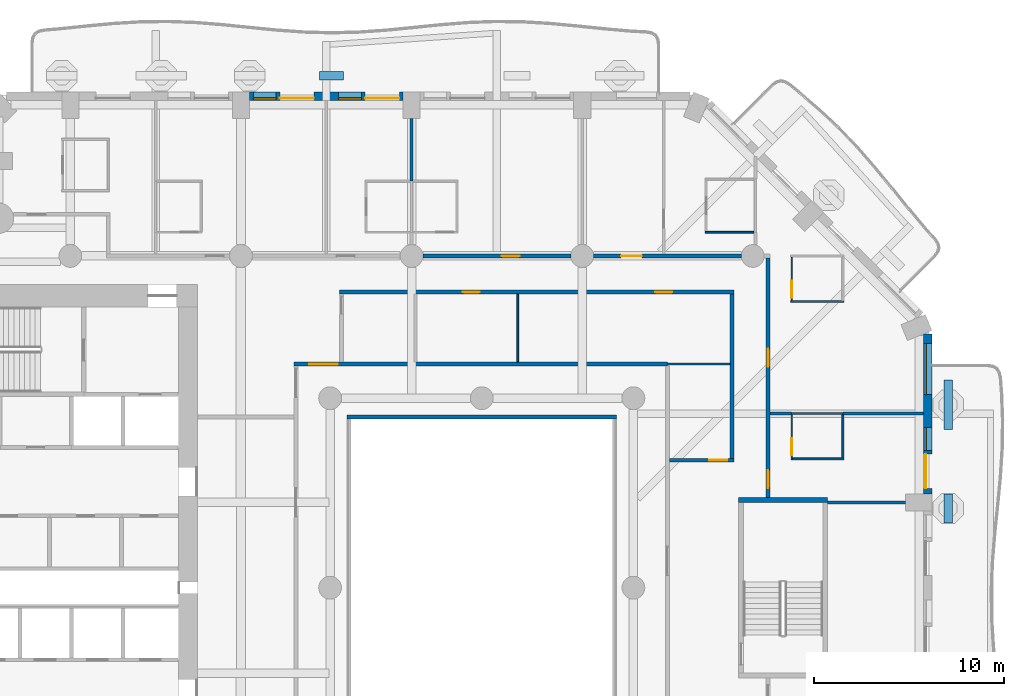
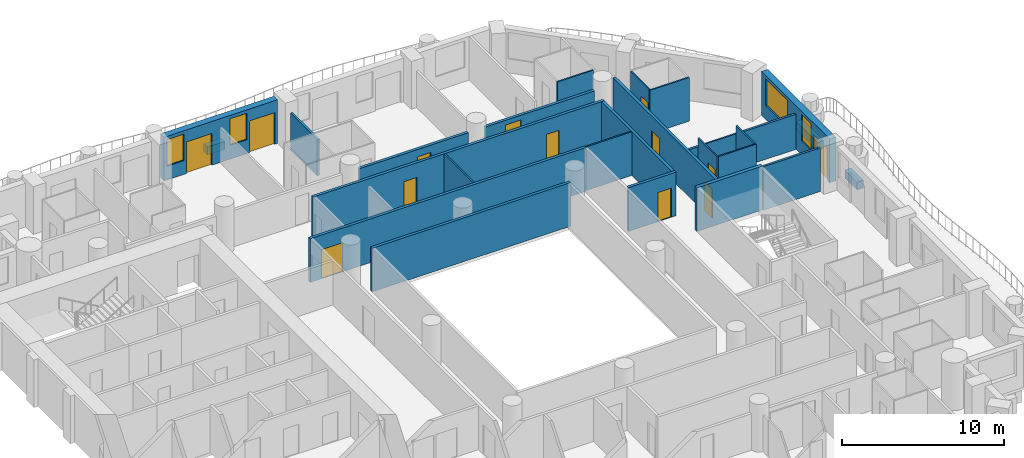
# One storey, part 9 of 20: 27 walls, 13 doors, 4 windows, 17 openings.
"""IFC4 building model written with IfcOpenShell, lengths in metres."""

import ifcopenshell
import ifcopenshell.guid

model = None  # the IFC model being written
_history = None  # IfcOwnerHistory: only IFC2X3 demands one
_inside = {}  # id of a spatial element -> (the spatial element, [elements in it])
_under = {}  # id of a project, library or spatial element -> (it, [spatial elements below it])
_declared = {}  # id of a project -> (the project, [libraries it declares])
_typed = {}  # id of a type object -> (the type object, [elements of that type])
_made_of = {}  # id of a material, layer set ... -> (it, [elements and type objects made of it])


def new_model(schema):
    """Start an empty IFC model of exactly this schema.

    Asked for "IFC4X3", IfcOpenShell would pick the latest addendum, in which some entities
    have other attributes; the version numbers below select the first issue.
    IFC2X3 requires an IfcOwnerHistory on every rooted entity: one is made here for all.
    """
    global model, _history
    if schema == "IFC4X3":
        model = ifcopenshell.file(schema_version=(4, 3, 0, 0))
    else:
        model = ifcopenshell.file(schema=schema)
    _inside.clear()
    _under.clear()
    _declared.clear()
    _typed.clear()
    _made_of.clear()
    _history = None
    if model.schema == "IFC2X3":
        org = make("IfcOrganization", Name="unknown")
        user = make(
            "IfcPersonAndOrganization",
            ThePerson=make("IfcPerson", FamilyName="unknown"),
            TheOrganization=org,
        )
        app = make(
            "IfcApplication",
            ApplicationDeveloper=org,
            Version="unknown",
            ApplicationFullName="unknown",
            ApplicationIdentifier="unknown",
        )
        _history = make(
            "IfcOwnerHistory",
            OwningUser=user,
            OwningApplication=app,
            ChangeAction="ADDED",
            CreationDate=0,
        )
    return model


def make(cls, **values):
    """One entity of the class cls with the attributes given. An attribute that is None is left unset."""
    return model.create_entity(
        cls, **{name: value for name, value in values.items() if value is not None}
    )


def rooted(cls, **values):
    """An entity with a GlobalId (a new one), such as an element, a storey or a relation."""
    return make(cls, GlobalId=ifcopenshell.guid.new(), OwnerHistory=_history, **values)


def si_unit(unit_type, name, prefix=None):
    """IfcSIUnit, for example si_unit("LENGTHUNIT", "METRE", prefix="MILLI")."""
    return make("IfcSIUnit", UnitType=unit_type, Prefix=prefix, Name=name)


def assignment(units):
    """IfcUnitAssignment: the units of a project."""
    return None if units is None else make("IfcUnitAssignment", Units=units)


def point(xyz):
    """IfcCartesianPoint."""
    return None if xyz is None else make("IfcCartesianPoint", Coordinates=xyz)


def direction(xyz):
    """IfcDirection."""
    return None if xyz is None else make("IfcDirection", DirectionRatios=xyz)


def frame(location, z_axis=None, x_axis=None):
    """IfcAxis2Placement3D, a coordinate frame: its origin and axes. An axis left out is left unset."""
    return make(
        "IfcAxis2Placement3D",
        Location=point(location),
        Axis=direction(z_axis),
        RefDirection=direction(x_axis),
    )


def frame_2d(location, x_axis=None):
    """IfcAxis2Placement2D, a coordinate frame in the plane: its origin and x axis."""
    return make(
        "IfcAxis2Placement2D", Location=point(location), RefDirection=direction(x_axis)
    )


def origin():
    """The frame at (0, 0, 0) with its axes left unset."""
    return frame((0.0, 0.0, 0.0))


def place(relative_to, where):
    """IfcLocalPlacement: puts the frame where relative to a parent placement (None: the world)."""
    return make(
        "IfcLocalPlacement", PlacementRelTo=relative_to, RelativePlacement=where
    )


def context(
    kind, dimensions, precision=None, world=None, true_north=None, identifier=None
):
    """IfcGeometricRepresentationContext, for example the 3D "Model" context."""
    return make(
        "IfcGeometricRepresentationContext",
        ContextIdentifier=identifier,
        ContextType=kind,
        CoordinateSpaceDimension=dimensions,
        Precision=precision,
        WorldCoordinateSystem=world,
        TrueNorth=true_north,
    )


def subcontext(parent, identifier, kind, view, scale=None):
    """IfcGeometricRepresentationSubContext, for example "Body" below "Model"."""
    return make(
        "IfcGeometricRepresentationSubContext",
        ContextIdentifier=identifier,
        ContextType=kind,
        ParentContext=parent,
        TargetScale=scale,
        TargetView=view,
    )


def project(units=None, contexts=None):
    """IfcProject with its units and contexts."""
    return rooted(
        "IfcProject",
        Name="project",
        RepresentationContexts=contexts,
        UnitsInContext=assignment(units),
    )


def spatial(cls, under=None, at=None, **own):
    """A site, building, storey or space (cls), placed at a placement, below another one or the project."""
    s = rooted(cls, ObjectPlacement=at, **own)
    if under is not None:
        _under.setdefault(under.id(), (under, []))[1].append(s)
    return s


def profile(cls, at=None, kind="AREA", **sizes):
    """A parametric profile (cls). Its sizes go by their IFC names, for example OverallWidth=200.0."""
    return make(cls, ProfileType=kind, Position=at, **sizes)


def rectangle(**sizes):
    """IfcRectangleProfileDef."""
    return profile("IfcRectangleProfileDef", **sizes)


def extrude(swept, where, along, depth):
    """IfcExtrudedAreaSolid: the profile swept, set in the frame where, extruded along a direction by depth."""
    return make(
        "IfcExtrudedAreaSolid",
        SweptArea=swept,
        Position=where,
        ExtrudedDirection=direction(along),
        Depth=depth,
    )


def shape(context_of_items, identifier, shape_type, items):
    """IfcShapeRepresentation: the items that make up one representation, for example the "Body"."""
    return make(
        "IfcShapeRepresentation",
        ContextOfItems=context_of_items,
        RepresentationIdentifier=identifier,
        RepresentationType=shape_type,
        Items=items,
    )


def material(Name=None, Category=None):
    """IfcMaterial."""
    return make("IfcMaterial", Name=Name, Category=Category)


def layer(
    of_material, thickness, ventilated=None, Name=None, Category=None, Priority=None
):
    """IfcMaterialLayer: one layer of a wall or slab, of a material (None: an air gap)."""
    return make(
        "IfcMaterialLayer",
        Material=of_material,
        LayerThickness=thickness,
        IsVentilated=ventilated,
        Name=Name,
        Category=Category,
        Priority=Priority,
    )


def layer_set(layers, Name=None):
    """IfcMaterialLayerSet."""
    return make("IfcMaterialLayerSet", MaterialLayers=layers, LayerSetName=Name)


def made_of(thing, what):
    """Note that an element or type object is made of a material, layer set ...; save() writes the relation."""
    if what is not None:
        _made_of.setdefault(what.id(), (what, []))[1].append(thing)
    return thing


def type_object(cls, material=None, **own):
    """A type object (cls), such as IfcWallType, which elements share."""
    return made_of(rooted(cls, **own), material)


def element(
    cls,
    number,
    at=None,
    inside=None,
    cuts=None,
    type_object=None,
    material=None,
    context=None,
    identifier="Body",
    shape_type=None,
    held_by="IfcProductDefinitionShape",
    body=None,
    shapes=None,
    **own,
):
    """One element of the class cls, such as IfcWall. Its Tag is "e" and its number.

    at: its placement. inside: the storey or other place that contains it. cuts: it is an
    opening in that element (IfcRelVoidsElement). A single representation is given by context,
    identifier, shape_type and body (its items); several are given by shapes. held_by: the class
    of the entity that holds the representations. save() writes the other relations.
    """
    e = rooted(cls, Tag="e%d" % number, ObjectPlacement=at, **own)
    if body is not None:
        shapes = [shape(context, identifier, shape_type, body)]
    if shapes is not None:
        e.Representation = make(held_by, Representations=shapes)
    if inside is not None:
        _inside.setdefault(inside.id(), (inside, []))[1].append(e)
    if cuts is not None:
        rooted(
            "IfcRelVoidsElement", RelatingBuildingElement=cuts, RelatedOpeningElement=e
        )
    if type_object is not None:
        _typed.setdefault(type_object.id(), (type_object, []))[1].append(e)
    return made_of(e, material)


def fill(opening, filler):
    """IfcRelFillsElement: the door or window that sits in an opening."""
    return rooted(
        "IfcRelFillsElement",
        RelatingOpeningElement=opening,
        RelatedBuildingElement=filler,
    )


def aggregate(whole, parts):
    """IfcRelAggregates: a whole, such as a stair, and the parts it consists of."""
    return rooted("IfcRelAggregates", RelatingObject=whole, RelatedObjects=parts)


def save(model, path):
    """Write the relations noted so far, then the file.

    IfcRelAggregates (storeys below a building ...), IfcRelContainedInSpatialStructure (elements
    in a storey), IfcRelDefinesByType, IfcRelAssociatesMaterial and IfcRelDeclares: one each for
    every whole, place, type object, material and project.
    """
    for whole, parts in _under.values():
        aggregate(whole, parts)
    for where, things in _inside.values():
        rooted(
            "IfcRelContainedInSpatialStructure",
            RelatedElements=things,
            RelatingStructure=where,
        )
    for kind, things in _typed.values():
        rooted("IfcRelDefinesByType", RelatedObjects=things, RelatingType=kind)
    for what, things in _made_of.values():
        rooted("IfcRelAssociatesMaterial", RelatedObjects=things, RelatingMaterial=what)
    for by, libraries in _declared.values():
        rooted("IfcRelDeclares", RelatingContext=by, RelatedDefinitions=libraries)
    model.write(path)


model = new_model("IFC4")

# Units and contexts
model_context = context("Model", 3, precision=1e-05, world=origin(), true_north=direction((0.0, 1.0)))
body_context = subcontext(model_context, "Body", "Model", "MODEL_VIEW")
ifc_project = project(units=[si_unit("LENGTHUNIT", "METRE"), si_unit("AREAUNIT", "SQUARE_METRE"), si_unit("VOLUMEUNIT", "CUBIC_METRE"), si_unit("PLANEANGLEUNIT", "RADIAN"), si_unit("MASSUNIT", "GRAM", prefix="KILO")], contexts=[model_context])

# Site, building, storey
site_placement = place(None, origin())
site = spatial("IfcSite", under=ifc_project, at=site_placement, CompositionType="ELEMENT")
building_placement = place(site_placement, origin())
building = spatial("IfcBuilding", under=site, at=building_placement, Name="Cypress Arch Tower", CompositionType="ELEMENT")
storey_placement = place(building_placement, frame((0.0, 0.0, 87.89990234375)))
storey = spatial("IfcBuildingStorey", under=building, at=storey_placement, Name="L16", CompositionType="ELEMENT", Elevation=87.89990234375)

# Walls
ifc_material_1 = material(Name="Concrete C40/50, waterproofed", Category="concrete")
ifc_layer_1 = layer(ifc_material_1, 0.449951171875)
ifc_layer_set_1 = layer_set([ifc_layer_1], Name="Balcony planter wall PW450")
wall_type_1 = type_object("IfcWallType", Name="Balcony planter wall PW450", PredefinedType="SOLIDWALL", material=ifc_layer_set_1)
wall_1_placement = place(storey_placement, frame((25.60009765625, 3.42138671875, 0.0), z_axis=(0.0, 0.0, 1.0), x_axis=(0.0, 1.0, 0.0)))
element("IfcWall", 1, at=wall_1_placement, inside=storey, type_object=wall_type_1, Name="Balcony planter wall L16-A06.2", PredefinedType="SOLIDWALL", context=body_context, shape_type="SweptSolid", body=[
    extrude(rectangle(XDim=1.5224609375, YDim=0.449951171875, at=frame_2d((0.76123046875, 0.0))), origin(), (0.0, 0.0, 1.0), 0.60009765625),
])
wall_2_placement = place(storey_placement, frame((25.60009765625, 8.335693359375, 0.0), z_axis=(0.0, 0.0, 1.0), x_axis=(0.0, 1.0, 0.0)))
element("IfcWall", 2, at=wall_2_placement, inside=storey, type_object=wall_type_1, Name="Balcony planter wall L16-A06.3", PredefinedType="SOLIDWALL", context=body_context, shape_type="SweptSolid", body=[
    extrude(rectangle(XDim=2.6142578125, YDim=0.449951171875, at=frame_2d((1.30712890625, 0.0))), origin(), (0.0, 0.0, 1.0), 0.60009765625),
])
wall_3_placement = place(storey_placement, frame((-6.300048828125, 27.0, 0.0), z_axis=(0.0, 0.0, 1.0), x_axis=(-1.0, 0.0, 0.0)))
element("IfcWall", 3, at=wall_3_placement, inside=storey, type_object=wall_type_1, Name="Balcony planter wall L16-A08.3", PredefinedType="SOLIDWALL", context=body_context, shape_type="SweptSolid", body=[
    extrude(rectangle(XDim=1.25, YDim=0.449951171875, at=frame_2d((0.625, 0.0))), origin(), (0.0, 0.0, 1.0), 0.60009765625),
])

# Wall, openings, door, windows
ifc_material_2 = material(Name="Brick (red buff blend)", Category="masonry")
ifc_layer_2 = layer(ifc_material_2, 0.449951171875)
ifc_layer_set_2 = layer_set([ifc_layer_2], Name="Brick pier and spandrel wall BW450")
wall_type_2 = type_object("IfcWallType", Name="Brick pier and spandrel wall BW450", PredefinedType="SOLIDWALL", material=ifc_layer_set_2)
wall_4_placement = place(storey_placement, frame((24.52490234375, 4.949951171875, 0.0), z_axis=(0.0, 0.0, 1.0), x_axis=(0.0, 1.0, 0.0)))
wall_4 = element("IfcWall", 4, at=wall_4_placement, inside=storey, type_object=wall_type_2, Name="Brick wall L16 A06.3", PredefinedType="SOLIDWALL", context=body_context, shape_type="SweptSolid", body=[
    extrude(rectangle(XDim=8.438720703125, YDim=0.449951171875, at=frame_2d((4.21923828125, 0.0))), origin(), (0.0, 0.0, 1.0), 3.300048828125),
])
opening_1_placement = place(wall_4_placement, frame((0.2939453125, 0.0, 0.0)))
opening_1 = element("IfcOpeningElement", 5, at=opening_1_placement, cuts=wall_4, Name="Opening D-L16-A06.3.1", PredefinedType="OPENING", context=body_context, shape_type="SweptSolid", body=[
    extrude(rectangle(XDim=1.800048828125, YDim=2.39990234375, at=frame_2d((0.89990234375, 1.199951171875))), frame((0.0, 0.23486328125, 0.0), z_axis=(0.0, -1.0, 0.0), x_axis=(1.0, 0.0, 0.0)), (0.0, 0.0, 1.0), 0.469970703125),
])
opening_2_placement = place(wall_4_placement, frame((2.2939453125, 0.0, 1.050048828125)))
opening_2 = element("IfcOpeningElement", 6, at=opening_2_placement, cuts=wall_4, Name="Opening W120HD", PredefinedType="OPENING", context=body_context, shape_type="SweptSolid", body=[
    extrude(rectangle(XDim=1.199951171875, YDim=2.0, at=frame_2d((0.60009765625, 1.0))), frame((0.0, 0.23486328125, 0.0), z_axis=(0.0, -1.0, 0.0), x_axis=(1.0, 0.0, 0.0)), (0.0, 0.0, 1.0), 0.469970703125),
])
opening_3_placement = place(wall_4_placement, frame((5.231689453125, 0.0, 1.050048828125)))
opening_3 = element("IfcOpeningElement", 7, at=opening_3_placement, cuts=wall_4, Name="Opening W270HD", PredefinedType="OPENING", context=body_context, shape_type="SweptSolid", body=[
    extrude(rectangle(XDim=2.699951171875, YDim=2.0, at=frame_2d((1.35009765625, 1.0))), frame((0.0, 0.23486328125, 0.0), z_axis=(0.0, -1.0, 0.0), x_axis=(1.0, 0.0, 0.0)), (0.0, 0.0, 1.0), 0.469970703125),
])
ifc_material_3 = material(Name="Anodised aluminium, bronze finish, laminated low-emissivity double glazing, large-missile impact rated", Category="aluminium")
door_type_1 = type_object("IfcDoorType", Name="Balcony sliding door 1800x2400", OperationType="SLIDING_TO_LEFT", PredefinedType="DOOR", material=ifc_material_3)
door_1_placement = place(opening_1_placement, origin())
door_1 = element("IfcDoor", 8, at=door_1_placement, inside=storey, type_object=door_type_1, Name="Balcony door L16 A06.3.1", OperationType="SLIDING_TO_LEFT", OverallHeight=2.39990234375, OverallWidth=1.800048828125, PredefinedType="DOOR", context=body_context, shape_type="SweptSolid", body=[
    extrude(rectangle(XDim=1.800048828125, YDim=2.39990234375, at=frame_2d((0.89990234375, 1.199951171875))), frame((0.0, 0.1298828125, 0.0), z_axis=(0.0, -1.0, 0.0), x_axis=(1.0, 0.0, 0.0)), (0.0, 0.0, 1.0), 0.050048828125),
])
fill(opening_1, door_1)
ifc_material_4 = material(Name="Anodised aluminium, bronze finish, laminated low-emissivity double glazing, large-missile impact rated", Category="aluminium")
window_type_1 = type_object("IfcWindowType", Name="Window Hotel 1200x2000 debris-rated", PartitioningType="SINGLE_PANEL", PredefinedType="WINDOW", material=ifc_material_4)
window_1_placement = place(opening_2_placement, origin())
window_1 = element("IfcWindow", 9, at=window_1_placement, inside=storey, type_object=window_type_1, Name="Window L16 A06.3.1", OverallHeight=2.0, OverallWidth=1.199951171875, PartitioningType="SINGLE_PANEL", PredefinedType="WINDOW", context=body_context, shape_type="SweptSolid", body=[
    extrude(rectangle(XDim=1.199951171875, YDim=2.0, at=frame_2d((0.60009765625, 1.0))), frame((0.0, 0.135009765625, 0.0), z_axis=(0.0, -1.0, 0.0), x_axis=(1.0, 0.0, 0.0)), (0.0, 0.0, 1.0), 0.06005859375),
])
fill(opening_2, window_1)
ifc_material_5 = material(Name="Anodised aluminium, bronze finish, laminated low-emissivity double glazing, large-missile impact rated", Category="aluminium")
window_type_2 = type_object("IfcWindowType", Name="Window Hotel 2700x2000 debris-rated", PartitioningType="SINGLE_PANEL", PredefinedType="WINDOW", material=ifc_material_5)
window_2_placement = place(opening_3_placement, origin())
window_2 = element("IfcWindow", 10, at=window_2_placement, inside=storey, type_object=window_type_2, Name="Window L16 A06.3.2", OverallHeight=2.0, OverallWidth=2.699951171875, PartitioningType="SINGLE_PANEL", PredefinedType="WINDOW", context=body_context, shape_type="SweptSolid", body=[
    extrude(rectangle(XDim=2.699951171875, YDim=2.0, at=frame_2d((1.35009765625, 1.0))), frame((0.0, 0.135009765625, 0.0), z_axis=(0.0, -1.0, 0.0), x_axis=(1.0, 0.0, 0.0)), (0.0, 0.0, 1.0), 0.06005859375),
])
fill(opening_3, window_2)

# Wall, openings, doors, windows
wall_5_placement = place(storey_placement, frame((-3.14990234375, 25.925048828125, 0.0), z_axis=(0.0, 0.0, 1.0), x_axis=(-1.0, 0.0, 0.0)))
wall_5 = element("IfcWall", 11, at=wall_5_placement, inside=storey, type_object=wall_type_2, Name="Brick wall L16 A08.2", PredefinedType="SOLIDWALL", context=body_context, shape_type="SweptSolid", body=[
    extrude(rectangle(XDim=8.10009765625, YDim=0.449951171875, at=frame_2d((4.050048828125, 0.0))), origin(), (0.0, 0.0, 1.0), 3.300048828125),
])
opening_4_placement = place(wall_5_placement, frame((0.199951171875, 0.0, 0.0)))
opening_4 = element("IfcOpeningElement", 12, at=opening_4_placement, cuts=wall_5, Name="Opening D-L16-A08.2.1", PredefinedType="OPENING", context=body_context, shape_type="SweptSolid", body=[
    extrude(rectangle(XDim=1.800048828125, YDim=2.39990234375, at=frame_2d((0.89990234375, 1.199951171875))), frame((0.0, 0.23486328125, 0.0), z_axis=(0.0, -1.0, 0.0), x_axis=(1.0, 0.0, 0.0)), (0.0, 0.0, 1.0), 0.469970703125),
])
opening_5_placement = place(wall_5_placement, frame((2.199951171875, 0.0, 1.050048828125)))
opening_5 = element("IfcOpeningElement", 13, at=opening_5_placement, cuts=wall_5, Name="Opening W120HD", PredefinedType="OPENING", context=body_context, shape_type="SweptSolid", body=[
    extrude(rectangle(XDim=1.199951171875, YDim=2.0, at=frame_2d((0.60009765625, 1.0))), frame((0.0, 0.23486328125, 0.0), z_axis=(0.0, -1.0, 0.0), x_axis=(1.0, 0.0, 0.0)), (0.0, 0.0, 1.0), 0.469970703125),
])
opening_6_placement = place(wall_5_placement, frame((4.699951171875, 0.0, 0.0)))
opening_6 = element("IfcOpeningElement", 14, at=opening_6_placement, cuts=wall_5, Name="Opening D-L16-A08.2.2", PredefinedType="OPENING", context=body_context, shape_type="SweptSolid", body=[
    extrude(rectangle(XDim=1.800048828125, YDim=2.39990234375, at=frame_2d((0.89990234375, 1.199951171875))), frame((0.0, 0.23486328125, 0.0), z_axis=(0.0, -1.0, 0.0), x_axis=(1.0, 0.0, 0.0)), (0.0, 0.0, 1.0), 0.469970703125),
])
opening_7_placement = place(wall_5_placement, frame((6.699951171875, 0.0, 1.050048828125)))
opening_7 = element("IfcOpeningElement", 15, at=opening_7_placement, cuts=wall_5, Name="Opening W120HD", PredefinedType="OPENING", context=body_context, shape_type="SweptSolid", body=[
    extrude(rectangle(XDim=1.199951171875, YDim=2.0, at=frame_2d((0.60009765625, 1.0))), frame((0.0, 0.23486328125, 0.0), z_axis=(0.0, -1.0, 0.0), x_axis=(1.0, 0.0, 0.0)), (0.0, 0.0, 1.0), 0.469970703125),
])
door_2_placement = place(opening_4_placement, origin())
door_2 = element("IfcDoor", 16, at=door_2_placement, inside=storey, type_object=door_type_1, Name="Balcony door L16 A08.2.1", OperationType="SLIDING_TO_LEFT", OverallHeight=2.39990234375, OverallWidth=1.800048828125, PredefinedType="DOOR", context=body_context, shape_type="SweptSolid", body=[
    extrude(rectangle(XDim=1.800048828125, YDim=2.39990234375, at=frame_2d((0.89990234375, 1.199951171875))), frame((0.0, 0.1298828125, 0.0), z_axis=(0.0, -1.0, 0.0), x_axis=(1.0, 0.0, 0.0)), (0.0, 0.0, 1.0), 0.050048828125),
])
fill(opening_4, door_2)
door_3_placement = place(opening_6_placement, origin())
door_3 = element("IfcDoor", 17, at=door_3_placement, inside=storey, type_object=door_type_1, Name="Balcony door L16 A08.2.2", OperationType="SLIDING_TO_LEFT", OverallHeight=2.39990234375, OverallWidth=1.800048828125, PredefinedType="DOOR", context=body_context, shape_type="SweptSolid", body=[
    extrude(rectangle(XDim=1.800048828125, YDim=2.39990234375, at=frame_2d((0.89990234375, 1.199951171875))), frame((0.0, 0.1298828125, 0.0), z_axis=(0.0, -1.0, 0.0), x_axis=(1.0, 0.0, 0.0)), (0.0, 0.0, 1.0), 0.050048828125),
])
fill(opening_6, door_3)
window_3_placement = place(opening_5_placement, origin())
window_3 = element("IfcWindow", 18, at=window_3_placement, inside=storey, type_object=window_type_1, Name="Window L16 A08.2.1", OverallHeight=2.0, OverallWidth=1.199951171875, PartitioningType="SINGLE_PANEL", PredefinedType="WINDOW", context=body_context, shape_type="SweptSolid", body=[
    extrude(rectangle(XDim=1.199951171875, YDim=2.0, at=frame_2d((0.60009765625, 1.0))), frame((0.0, 0.135009765625, 0.0), z_axis=(0.0, -1.0, 0.0), x_axis=(1.0, 0.0, 0.0)), (0.0, 0.0, 1.0), 0.06005859375),
])
fill(opening_5, window_3)
window_4_placement = place(opening_7_placement, origin())
window_4 = element("IfcWindow", 19, at=window_4_placement, inside=storey, type_object=window_type_1, Name="Window L16 A08.2.2", OverallHeight=2.0, OverallWidth=1.199951171875, PartitioningType="SINGLE_PANEL", PredefinedType="WINDOW", context=body_context, shape_type="SweptSolid", body=[
    extrude(rectangle(XDim=1.199951171875, YDim=2.0, at=frame_2d((0.60009765625, 1.0))), frame((0.0, 0.135009765625, 0.0), z_axis=(0.0, -1.0, 0.0), x_axis=(1.0, 0.0, 0.0)), (0.0, 0.0, 1.0), 0.06005859375),
])
fill(opening_7, window_4)

# Wall, opening, door
ifc_material_6 = material(Name="Concrete blockwork, plastered, rated", Category="masonry")
ifc_layer_3 = layer(ifc_material_6, 0.199951171875)
ifc_layer_set_3 = layer_set([ifc_layer_3], Name="Corridor wall FW200")
wall_type_3 = type_object("IfcWallType", Name="Corridor wall FW200", PredefinedType="PARTITIONING", material=ifc_layer_set_3)
wall_6_placement = place(storey_placement, frame((-2.10009765625, 17.5, 0.0), z_axis=(0.0, 0.0, 1.0), x_axis=(1.0, 0.0, 0.0)))
wall_6 = element("IfcWall", 20, at=wall_6_placement, inside=storey, type_object=wall_type_3, Name="Corridor wall", PredefinedType="PARTITIONING", context=body_context, shape_type="SweptSolid", body=[
    extrude(rectangle(XDim=7.800048828125, YDim=0.199951171875, at=frame_2d((3.89990234375, 0.0))), origin(), (0.0, 0.0, 1.0), 2.75),
])
opening_8_placement = place(wall_6_placement, frame((4.14990234375, 0.0, 0.0)))
opening_8 = element("IfcOpeningElement", 21, at=opening_8_placement, cuts=wall_6, Name="Opening D02", PredefinedType="OPENING", context=body_context, shape_type="SweptSolid", body=[
    extrude(rectangle(XDim=0.949951171875, YDim=2.199951171875, at=frame_2d((0.47509765625, 1.10009765625))), frame((0.0, 0.10986328125, 0.0), z_axis=(0.0, -1.0, 0.0), x_axis=(1.0, 0.0, 0.0)), (0.0, 0.0, 1.0), 0.219970703125),
])
ifc_material_7 = material(Name="Timber flush door, fire resisting", Category="wood")
door_type_2 = type_object("IfcDoorType", Name="Room door D02 950x2200", OperationType="SINGLE_SWING_LEFT", PredefinedType="DOOR", material=ifc_material_7)
door_4_placement = place(opening_8_placement, origin())
door_4 = element("IfcDoor", 22, at=door_4_placement, inside=storey, type_object=door_type_2, Name="Room door", OperationType="SINGLE_SWING_RIGHT", OverallHeight=2.199951171875, OverallWidth=0.949951171875, PredefinedType="DOOR", context=body_context, shape_type="SweptSolid", body=[
    extrude(rectangle(XDim=0.949951171875, YDim=2.199951171875, at=frame_2d((0.47509765625, 1.10009765625))), frame((0.0, 0.02490234375, 0.0), z_axis=(0.0, -1.0, 0.0), x_axis=(1.0, 0.0, 0.0)), (0.0, 0.0, 1.0), 0.050048828125),
])
fill(opening_8, door_4)

wall_7_placement = place(storey_placement, frame((6.89990234375, 17.5, 0.0), z_axis=(0.0, 0.0, 1.0), x_axis=(1.0, 0.0, 0.0)))
wall_7 = element("IfcWall", 23, at=wall_7_placement, inside=storey, type_object=wall_type_3, Name="Corridor wall", PredefinedType="PARTITIONING", context=body_context, shape_type="SweptSolid", body=[
    extrude(rectangle(XDim=7.800048828125, YDim=0.199951171875, at=frame_2d((3.89990234375, 0.0))), origin(), (0.0, 0.0, 1.0), 2.75),
])
opening_9_placement = place(wall_7_placement, frame((1.449951171875, 0.0, 0.0)))
opening_9 = element("IfcOpeningElement", 24, at=opening_9_placement, cuts=wall_7, Name="Opening D01", PredefinedType="OPENING", context=body_context, shape_type="SweptSolid", body=[
    extrude(rectangle(XDim=1.10009765625, YDim=2.39990234375, at=frame_2d((0.550048828125, 1.199951171875))), frame((0.0, 0.10986328125, 0.0), z_axis=(0.0, -1.0, 0.0), x_axis=(1.0, 0.0, 0.0)), (0.0, 0.0, 1.0), 0.219970703125),
])
ifc_material_8 = material(Name="Timber flush door, fire resisting, self-closing", Category="wood")
door_type_3 = type_object("IfcDoorType", Name="Unit entrance door D01 1100x2400", OperationType="SINGLE_SWING_LEFT", PredefinedType="DOOR", material=ifc_material_8)
door_5_placement = place(opening_9_placement, origin())
door_5 = element("IfcDoor", 25, at=door_5_placement, inside=storey, type_object=door_type_3, Name="Unit entrance door", OperationType="SINGLE_SWING_RIGHT", OverallHeight=2.39990234375, OverallWidth=1.10009765625, PredefinedType="DOOR", context=body_context, shape_type="SweptSolid", body=[
    extrude(rectangle(XDim=1.10009765625, YDim=2.39990234375, at=frame_2d((0.550048828125, 1.199951171875))), frame((0.0, 0.02490234375, 0.0), z_axis=(0.0, -1.0, 0.0), x_axis=(1.0, 0.0, 0.0)), (0.0, 0.0, 1.0), 0.050048828125),
])
fill(opening_9, door_5)

wall_8_placement = place(storey_placement, frame((-8.89990234375, 11.800048828125, 0.0), z_axis=(0.0, 0.0, 1.0), x_axis=(1.0, 0.0, 0.0)))
wall_8 = element("IfcWall", 26, at=wall_8_placement, inside=storey, type_object=wall_type_3, Name="Corridor wall", PredefinedType="PARTITIONING", context=body_context, shape_type="SweptSolid", body=[
    extrude(rectangle(XDim=19.699951171875, YDim=0.199951171875, at=frame_2d((9.85009765625, 0.0))), origin(), (0.0, 0.0, 1.0), 3.300048828125),
])
opening_10_placement = place(wall_8_placement, frame((0.800048828125, 0.0, 0.0)))
opening_10 = element("IfcOpeningElement", 27, at=opening_10_placement, cuts=wall_8, Name="Opening D04", PredefinedType="OPENING", context=body_context, shape_type="SweptSolid", body=[
    extrude(rectangle(XDim=1.5, YDim=2.199951171875, at=frame_2d((0.75, 1.10009765625))), frame((0.0, 0.10986328125, 0.0), z_axis=(0.0, -1.0, 0.0), x_axis=(1.0, 0.0, 0.0)), (0.0, 0.0, 1.0), 0.219970703125),
])
ifc_material_9 = material(Name="Timber double door", Category="wood")
door_type_4 = type_object("IfcDoorType", Name="Double door D04 1500x2200", OperationType="DOUBLE_DOOR_SINGLE_SWING", PredefinedType="DOOR", material=ifc_material_9)
door_6_placement = place(opening_10_placement, origin())
door_6 = element("IfcDoor", 28, at=door_6_placement, inside=storey, type_object=door_type_4, Name="Double door", OperationType="DOUBLE_DOOR_SINGLE_SWING", OverallHeight=2.199951171875, OverallWidth=1.5, PredefinedType="DOOR", context=body_context, shape_type="SweptSolid", body=[
    extrude(rectangle(XDim=1.5, YDim=2.199951171875, at=frame_2d((0.75, 1.10009765625))), frame((0.0, 0.02490234375, 0.0), z_axis=(0.0, -1.0, 0.0), x_axis=(1.0, 0.0, 0.0)), (0.0, 0.0, 1.0), 0.050048828125),
])
fill(opening_10, door_6)

# Wall, openings, doors
wall_9_placement = place(storey_placement, frame((-6.5, 15.60009765625, 0.0), z_axis=(0.0, 0.0, 1.0), x_axis=(1.0, 0.0, 0.0)))
wall_9 = element("IfcWall", 29, at=wall_9_placement, inside=storey, type_object=wall_type_3, Name="Corridor wall", PredefinedType="PARTITIONING", context=body_context, shape_type="SweptSolid", body=[
    extrude(rectangle(XDim=20.800048828125, YDim=0.199951171875, at=frame_2d((10.39990234375, 0.0))), origin(), (0.0, 0.0, 1.0), 3.300048828125),
])
opening_11_placement = place(wall_9_placement, frame((6.5, 0.0, 0.0)))
opening_11 = element("IfcOpeningElement", 30, at=opening_11_placement, cuts=wall_9, Name="Opening D05", PredefinedType="OPENING", context=body_context, shape_type="SweptSolid", body=[
    extrude(rectangle(XDim=0.89990234375, YDim=2.199951171875, at=frame_2d((0.449951171875, 1.10009765625))), frame((0.0, 0.10986328125, 0.0), z_axis=(0.0, -1.0, 0.0), x_axis=(1.0, 0.0, 0.0)), (0.0, 0.0, 1.0), 0.219970703125),
])
opening_12_placement = place(wall_9_placement, frame((16.64990234375, 0.0, 0.0)))
opening_12 = element("IfcOpeningElement", 31, at=opening_12_placement, cuts=wall_9, Name="Opening D03", PredefinedType="OPENING", context=body_context, shape_type="SweptSolid", body=[
    extrude(rectangle(XDim=0.89990234375, YDim=2.199951171875, at=frame_2d((0.449951171875, 1.10009765625))), frame((0.0, 0.10986328125, 0.0), z_axis=(0.0, -1.0, 0.0), x_axis=(1.0, 0.0, 0.0)), (0.0, 0.0, 1.0), 0.219970703125),
])
ifc_material_10 = material(Name="Timber flush door, moisture resistant", Category="wood")
door_type_5 = type_object("IfcDoorType", Name="Bathroom door D03 900x2200", OperationType="SINGLE_SWING_LEFT", PredefinedType="DOOR", material=ifc_material_10)
door_7_placement = place(opening_12_placement, origin())
door_7 = element("IfcDoor", 32, at=door_7_placement, inside=storey, type_object=door_type_5, Name="Bathroom door", OperationType="SINGLE_SWING_LEFT", OverallHeight=2.199951171875, OverallWidth=0.89990234375, PredefinedType="DOOR", context=body_context, shape_type="SweptSolid", body=[
    extrude(rectangle(XDim=0.89990234375, YDim=2.199951171875, at=frame_2d((0.449951171875, 1.10009765625))), frame((0.0, 0.02490234375, 0.0), z_axis=(0.0, -1.0, 0.0), x_axis=(1.0, 0.0, 0.0)), (0.0, 0.0, 1.0), 0.050048828125),
])
fill(opening_12, door_7)
ifc_material_11 = material(Name="Timber flush door", Category="wood")
door_type_6 = type_object("IfcDoorType", Name="Service door D05 900x2200", OperationType="SINGLE_SWING_LEFT", PredefinedType="DOOR", material=ifc_material_11)
door_8_placement = place(opening_11_placement, origin())
door_8 = element("IfcDoor", 33, at=door_8_placement, inside=storey, type_object=door_type_6, Name="Service door", OperationType="SINGLE_SWING_LEFT", OverallHeight=2.199951171875, OverallWidth=0.89990234375, PredefinedType="DOOR", context=body_context, shape_type="SweptSolid", body=[
    extrude(rectangle(XDim=0.89990234375, YDim=2.199951171875, at=frame_2d((0.449951171875, 1.10009765625))), frame((0.0, 0.02490234375, 0.0), z_axis=(0.0, -1.0, 0.0), x_axis=(1.0, 0.0, 0.0)), (0.0, 0.0, 1.0), 0.050048828125),
])
fill(opening_11, door_8)

# Wall
wall_10_placement = place(storey_placement, frame((-6.10009765625, 9.0, 0.0), z_axis=(0.0, 0.0, 1.0), x_axis=(1.0, 0.0, 0.0)))
element("IfcWall", 34, at=wall_10_placement, inside=storey, type_object=wall_type_3, Name="Corridor wall", PredefinedType="PARTITIONING", context=body_context, shape_type="SweptSolid", body=[
    extrude(rectangle(XDim=14.2001953125, YDim=0.199951171875, at=frame_2d((7.10009765625, 0.0))), origin(), (0.0, 0.0, 1.0), 3.300048828125),
])

# Wall, opening, door
wall_11_placement = place(storey_placement, frame((10.89990234375, 6.72509765625, 0.0), z_axis=(0.0, 0.0, 1.0), x_axis=(1.0, 0.0, 0.0)))
wall_11 = element("IfcWall", 35, at=wall_11_placement, inside=storey, type_object=wall_type_3, Name="Corridor wall", PredefinedType="PARTITIONING", context=body_context, shape_type="SweptSolid", body=[
    extrude(rectangle(XDim=3.400146484375, YDim=0.199951171875, at=frame_2d((1.7001953125, 0.0))), origin(), (0.0, 0.0, 1.0), 3.300048828125),
])
opening_13_placement = place(wall_11_placement, frame((2.10009765625, 0.0, 0.0)))
opening_13 = element("IfcOpeningElement", 36, at=opening_13_placement, cuts=wall_11, Name="Opening D02", PredefinedType="OPENING", context=body_context, shape_type="SweptSolid", body=[
    extrude(rectangle(XDim=0.949951171875, YDim=2.199951171875, at=frame_2d((0.47509765625, 1.10009765625))), frame((0.0, 0.10986328125, 0.0), z_axis=(0.0, -1.0, 0.0), x_axis=(1.0, 0.0, 0.0)), (0.0, 0.0, 1.0), 0.219970703125),
])
door_9_placement = place(opening_13_placement, origin())
door_9 = element("IfcDoor", 37, at=door_9_placement, inside=storey, type_object=door_type_2, Name="Room door", OperationType="SINGLE_SWING_RIGHT", OverallHeight=2.199951171875, OverallWidth=0.949951171875, PredefinedType="DOOR", context=body_context, shape_type="SweptSolid", body=[
    extrude(rectangle(XDim=0.949951171875, YDim=2.199951171875, at=frame_2d((0.47509765625, 1.10009765625))), frame((0.0, 0.02490234375, 0.0), z_axis=(0.0, -1.0, 0.0), x_axis=(1.0, 0.0, 0.0)), (0.0, 0.0, 1.0), 0.050048828125),
])
fill(opening_13, door_9)

# Wall
wall_12_placement = place(storey_placement, frame((14.199951171875, 6.824951171875, 0.0), z_axis=(0.0, 0.0, 1.0), x_axis=(0.0, 1.0, 0.0)))
element("IfcWall", 38, at=wall_12_placement, inside=storey, type_object=wall_type_3, Name="Corridor wall", PredefinedType="PARTITIONING", context=body_context, shape_type="SweptSolid", body=[
    extrude(rectangle(XDim=8.675048828125, YDim=0.199951171875, at=frame_2d((4.33740234375, 0.0))), origin(), (0.0, 0.0, 1.0), 3.300048828125),
])

# Wall, openings, doors
wall_13_placement = place(storey_placement, frame((16.10009765625, 4.75, 0.0), z_axis=(0.0, 0.0, 1.0), x_axis=(0.0, 1.0, 0.0)))
wall_13 = element("IfcWall", 39, at=wall_13_placement, inside=storey, type_object=wall_type_3, Name="Corridor wall", PredefinedType="PARTITIONING", context=body_context, shape_type="SweptSolid", body=[
    extrude(rectangle(XDim=12.64990234375, YDim=0.199951171875, at=frame_2d((6.324951171875, 0.0))), origin(), (0.0, 0.0, 1.0), 3.300048828125),
])
opening_14_placement = place(wall_13_placement, frame((0.5, 0.0, 0.0)))
opening_14 = element("IfcOpeningElement", 40, at=opening_14_placement, cuts=wall_13, Name="Opening D02", PredefinedType="OPENING", context=body_context, shape_type="SweptSolid", body=[
    extrude(rectangle(XDim=0.949951171875, YDim=2.199951171875, at=frame_2d((0.47509765625, 1.10009765625))), frame((0.0, 0.10986328125, 0.0), z_axis=(0.0, -1.0, 0.0), x_axis=(1.0, 0.0, 0.0)), (0.0, 0.0, 1.0), 0.219970703125),
])
opening_15_placement = place(wall_13_placement, frame((6.89990234375, 0.0, 0.0)))
opening_15 = element("IfcOpeningElement", 41, at=opening_15_placement, cuts=wall_13, Name="Opening D02", PredefinedType="OPENING", context=body_context, shape_type="SweptSolid", body=[
    extrude(rectangle(XDim=0.949951171875, YDim=2.199951171875, at=frame_2d((0.47509765625, 1.10009765625))), frame((0.0, 0.10986328125, 0.0), z_axis=(0.0, -1.0, 0.0), x_axis=(1.0, 0.0, 0.0)), (0.0, 0.0, 1.0), 0.219970703125),
])
door_10_placement = place(opening_14_placement, origin())
door_10 = element("IfcDoor", 42, at=door_10_placement, inside=storey, type_object=door_type_2, Name="Room door", OperationType="SINGLE_SWING_RIGHT", OverallHeight=2.199951171875, OverallWidth=0.949951171875, PredefinedType="DOOR", context=body_context, shape_type="SweptSolid", body=[
    extrude(rectangle(XDim=0.949951171875, YDim=2.199951171875, at=frame_2d((0.47509765625, 1.10009765625))), frame((0.0, 0.02490234375, 0.0), z_axis=(0.0, -1.0, 0.0), x_axis=(1.0, 0.0, 0.0)), (0.0, 0.0, 1.0), 0.050048828125),
])
fill(opening_14, door_10)
door_11_placement = place(opening_15_placement, origin())
door_11 = element("IfcDoor", 43, at=door_11_placement, inside=storey, type_object=door_type_2, Name="Room door", OperationType="SINGLE_SWING_RIGHT", OverallHeight=2.199951171875, OverallWidth=0.949951171875, PredefinedType="DOOR", context=body_context, shape_type="SweptSolid", body=[
    extrude(rectangle(XDim=0.949951171875, YDim=2.199951171875, at=frame_2d((0.47509765625, 1.10009765625))), frame((0.0, 0.02490234375, 0.0), z_axis=(0.0, -1.0, 0.0), x_axis=(1.0, 0.0, 0.0)), (0.0, 0.0, 1.0), 0.050048828125),
])
fill(opening_15, door_11)

# Walls
ifc_material_12 = material(Name="Blockwork, plastered both sides", Category="masonry")
ifc_layer_4 = layer(ifc_material_12, 0.14990234375)
ifc_layer_set_4 = layer_set([ifc_layer_4], Name="Partition PW150")
wall_type_4 = type_object("IfcWallType", Name="Partition PW150", PredefinedType="PARTITIONING", material=ifc_layer_set_4)
wall_14_placement = place(storey_placement, frame((-2.699951171875, 21.449951171875, 0.0), z_axis=(0.0, 0.0, 1.0), x_axis=(0.0, 1.0, 0.0)))
element("IfcWall", 44, at=wall_14_placement, inside=storey, type_object=wall_type_4, Name="Partition", PredefinedType="PARTITIONING", context=body_context, shape_type="SweptSolid", body=[
    extrude(rectangle(XDim=3.300048828125, YDim=0.14990234375, at=frame_2d((1.64990234375, 0.0))), origin(), (0.0, 0.0, 1.0), 2.75),
])
wall_15_placement = place(storey_placement, frame((16.199951171875, 9.18994140625, 0.0), z_axis=(0.0, 0.0, 1.0), x_axis=(1.0, 0.0, 0.0)))
element("IfcWall", 45, at=wall_15_placement, inside=storey, type_object=wall_type_4, Name="Partition", PredefinedType="PARTITIONING", context=body_context, shape_type="SweptSolid", body=[
    extrude(rectangle(XDim=1.130126953125, YDim=0.14990234375, at=frame_2d((0.56494140625, 0.0))), origin(), (0.0, 0.0, 1.0), 2.650146484375),
])
wall_16_placement = place(storey_placement, frame((19.25, 4.5, 0.0), z_axis=(0.0, 0.0, 1.0), x_axis=(1.0, 0.0, 0.0)))
element("IfcWall", 46, at=wall_16_placement, inside=storey, type_object=wall_type_4, Name="Partition", PredefinedType="PARTITIONING", context=body_context, shape_type="SweptSolid", body=[
    extrude(rectangle(XDim=4.10009765625, YDim=0.14990234375, at=frame_2d((2.050048828125, 0.0))), origin(), (0.0, 0.0, 1.0), 3.300048828125),
])
wall_17_placement = place(storey_placement, frame((20.050048828125, 9.18994140625, 0.0), z_axis=(0.0, 0.0, 1.0), x_axis=(1.0, 0.0, 0.0)))
element("IfcWall", 47, at=wall_17_placement, inside=storey, type_object=wall_type_4, Name="Partition", PredefinedType="PARTITIONING", context=body_context, shape_type="SweptSolid", body=[
    extrude(rectangle(XDim=4.25, YDim=0.14990234375, at=frame_2d((2.125, 0.0))), origin(), (0.0, 0.0, 1.0), 2.650146484375),
])
ifc_material_13 = material(Name="Concrete C50/60", Category="concrete")
ifc_layer_5 = layer(ifc_material_13, 0.25)
ifc_layer_set_5 = layer_set([ifc_layer_5], Name="Stair enclosure wall SW250")
wall_type_5 = type_object("IfcWallType", Name="Stair enclosure wall SW250", PredefinedType="SHEAR", material=ifc_layer_set_5)
wall_18_placement = place(storey_placement, frame((14.550048828125, 4.625, 0.0), z_axis=(0.0, 0.0, 1.0), x_axis=(1.0, 0.0, 0.0)))
element("IfcWall", 48, at=wall_18_placement, inside=storey, type_object=wall_type_5, Name="Stair enclosure wall", PredefinedType="SHEAR", context=body_context, shape_type="SweptSolid", body=[
    extrude(rectangle(XDim=4.699951171875, YDim=0.25, at=frame_2d((2.35009765625, 0.0))), origin(), (0.0, 0.0, 1.0), 3.300048828125),
])
ifc_material_14 = material(Name="Moisture resistant board on steel studs, tiled", Category="steel")
ifc_layer_6 = layer(ifc_material_14, 0.10009765625)
ifc_layer_set_6 = layer_set([ifc_layer_6], Name="Wet wall PW100")
wall_type_6 = type_object("IfcWallType", Name="Wet wall PW100", PredefinedType="PARTITIONING", material=ifc_layer_set_6)
wall_19_placement = place(storey_placement, frame((2.89990234375, 11.89990234375, 0.0), z_axis=(0.0, 0.0, 1.0), x_axis=(0.0, 1.0, 0.0)))
element("IfcWall", 49, at=wall_19_placement, inside=storey, type_object=wall_type_6, Name="Wet wall", PredefinedType="PARTITIONING", context=body_context, shape_type="SweptSolid", body=[
    extrude(rectangle(XDim=3.60009765625, YDim=0.10009765625, at=frame_2d((1.800048828125, 0.0))), origin(), (0.0, 0.0, 1.0), 3.300048828125),
])
wall_20_placement = place(storey_placement, frame((10.800048828125, 11.800048828125, 0.0), z_axis=(0.0, 0.0, 1.0), x_axis=(1.0, 0.0, 0.0)))
element("IfcWall", 50, at=wall_20_placement, inside=storey, type_object=wall_type_6, Name="Wet wall", PredefinedType="PARTITIONING", context=body_context, shape_type="SweptSolid", body=[
    extrude(rectangle(XDim=3.300048828125, YDim=0.10009765625, at=frame_2d((1.64990234375, 0.0))), origin(), (0.0, 0.0, 1.0), 3.300048828125),
])
wall_21_placement = place(storey_placement, frame((12.785888671875, 18.75, 0.0), z_axis=(0.0, 0.0, 1.0), x_axis=(1.0, 0.0, 0.0)))
element("IfcWall", 51, at=wall_21_placement, inside=storey, type_object=wall_type_6, Name="Wet wall", PredefinedType="PARTITIONING", context=body_context, shape_type="SweptSolid", body=[
    extrude(rectangle(XDim=2.571044921875, YDim=0.10009765625, at=frame_2d((1.28564453125, 0.0))), origin(), (0.0, 0.0, 1.0), 3.300048828125),
])
wall_22_placement = place(storey_placement, frame((17.330078125, 9.18994140625, 0.0), z_axis=(0.0, 0.0, 1.0), x_axis=(1.0, 0.0, 0.0)))
element("IfcWall", 52, at=wall_22_placement, inside=storey, type_object=wall_type_6, Name="Wet wall", PredefinedType="PARTITIONING", context=body_context, shape_type="SweptSolid", body=[
    extrude(rectangle(XDim=2.719970703125, YDim=0.10009765625, at=frame_2d((1.35986328125, 0.0))), origin(), (0.0, 0.0, 1.0), 2.650146484375),
])

# Wall, opening, door
wall_23_placement = place(storey_placement, frame((17.35009765625, 9.139892578125, 0.0), z_axis=(0.0, 0.0, 1.0), x_axis=(0.000407580973, -0.999999916939, 0.0)))
wall_23 = element("IfcWall", 53, at=wall_23_placement, inside=storey, type_object=wall_type_6, Name="Wet wall", PredefinedType="PARTITIONING", context=body_context, shape_type="SweptSolid", body=[
    extrude(rectangle(XDim=2.39599609375, YDim=0.10009765625, at=frame_2d((1.197998046875, 0.0))), origin(), (0.0, 0.0, 1.0), 3.300048828125),
])
opening_16_placement = place(wall_23_placement, frame((1.25, 0.0, 0.0)))
opening_16 = element("IfcOpeningElement", 54, at=opening_16_placement, cuts=wall_23, Name="Opening D03", PredefinedType="OPENING", context=body_context, shape_type="SweptSolid", body=[
    extrude(rectangle(XDim=0.89990234375, YDim=2.199951171875, at=frame_2d((0.449951171875, 1.10009765625))), frame((0.0, 0.06005859375, 0.0), z_axis=(0.0, -1.0, 0.0), x_axis=(1.0, 0.0, 0.0)), (0.0, 0.0, 1.0), 0.1201171875),
])
door_12_placement = place(opening_16_placement, origin())
door_12 = element("IfcDoor", 55, at=door_12_placement, inside=storey, type_object=door_type_5, Name="Bathroom door", OperationType="SINGLE_SWING_RIGHT", OverallHeight=2.199951171875, OverallWidth=0.89990234375, PredefinedType="DOOR", context=body_context, shape_type="SweptSolid", body=[
    extrude(rectangle(XDim=0.89990234375, YDim=2.199951171875, at=frame_2d((0.449951171875, 1.10009765625))), frame((0.0, 0.02490234375, 0.0), z_axis=(0.0, -1.0, 0.0), x_axis=(1.0, 0.0, 0.0)), (0.0, 0.0, 1.0), 0.050048828125),
])
fill(opening_16, door_12)

wall_24_placement = place(storey_placement, frame((17.35009765625, 15.14990234375, 0.0), z_axis=(0.0, 0.0, 1.0), x_axis=(0.0, 1.0, 0.0)))
wall_24 = element("IfcWall", 56, at=wall_24_placement, inside=storey, type_object=wall_type_6, Name="Wet wall", PredefinedType="PARTITIONING", context=body_context, shape_type="SweptSolid", body=[
    extrude(rectangle(XDim=2.300048828125, YDim=0.10009765625, at=frame_2d((1.14990234375, 0.0))), origin(), (0.0, 0.0, 1.0), 3.300048828125),
])
opening_17_placement = place(wall_24_placement, frame((0.14990234375, 0.0, 0.0)))
opening_17 = element("IfcOpeningElement", 57, at=opening_17_placement, cuts=wall_24, Name="Opening D03", PredefinedType="OPENING", context=body_context, shape_type="SweptSolid", body=[
    extrude(rectangle(XDim=0.89990234375, YDim=2.199951171875, at=frame_2d((0.449951171875, 1.10009765625))), frame((0.0, 0.06005859375, 0.0), z_axis=(0.0, -1.0, 0.0), x_axis=(1.0, 0.0, 0.0)), (0.0, 0.0, 1.0), 0.1201171875),
])
door_13_placement = place(opening_17_placement, origin())
door_13 = element("IfcDoor", 58, at=door_13_placement, inside=storey, type_object=door_type_5, Name="Bathroom door", OperationType="SINGLE_SWING_RIGHT", OverallHeight=2.199951171875, OverallWidth=0.89990234375, PredefinedType="DOOR", context=body_context, shape_type="SweptSolid", body=[
    extrude(rectangle(XDim=0.89990234375, YDim=2.199951171875, at=frame_2d((0.449951171875, 1.10009765625))), frame((0.0, 0.02490234375, 0.0), z_axis=(0.0, -1.0, 0.0), x_axis=(1.0, 0.0, 0.0)), (0.0, 0.0, 1.0), 0.050048828125),
])
fill(opening_17, door_13)

# Walls
wall_25_placement = place(storey_placement, frame((17.300048828125, 15.10009765625, 0.0), z_axis=(0.0, 0.0, 1.0), x_axis=(1.0, 0.0, 0.0)))
element("IfcWall", 59, at=wall_25_placement, inside=storey, type_object=wall_type_6, Name="Wet wall", PredefinedType="PARTITIONING", context=body_context, shape_type="SweptSolid", body=[
    extrude(rectangle(XDim=2.800048828125, YDim=0.10009765625, at=frame_2d((1.39990234375, 0.0))), origin(), (0.0, 0.0, 1.0), 3.300048828125),
])
wall_26_placement = place(storey_placement, frame((17.40087890625, 6.7939453125, 0.0), z_axis=(0.0, 0.0, 1.0), x_axis=(0.9999999346, 0.000361663629, 0.0)))
element("IfcWall", 60, at=wall_26_placement, inside=storey, type_object=wall_type_6, Name="Wet wall", PredefinedType="PARTITIONING", context=body_context, shape_type="SweptSolid", body=[
    extrude(rectangle(XDim=2.7001953125, YDim=0.10009765625, at=frame_2d((1.35009765625, 0.0))), origin(), (0.0, 0.0, 1.0), 3.300048828125),
])
wall_27_placement = place(storey_placement, frame((20.050048828125, 9.114990234375, 0.0), z_axis=(0.0, 0.0, 1.0), x_axis=(0.000430200003, -0.999999907464, 0.0)))
element("IfcWall", 61, at=wall_27_placement, inside=storey, type_object=wall_type_6, Name="Wet wall", PredefinedType="PARTITIONING", context=body_context, shape_type="SweptSolid", body=[
    extrude(rectangle(XDim=2.27001953125, YDim=0.10009765625, at=frame_2d((1.135009765625, 0.0))), origin(), (0.0, 0.0, 1.0), 3.300048828125),
])

save(model, "model.ifc")
